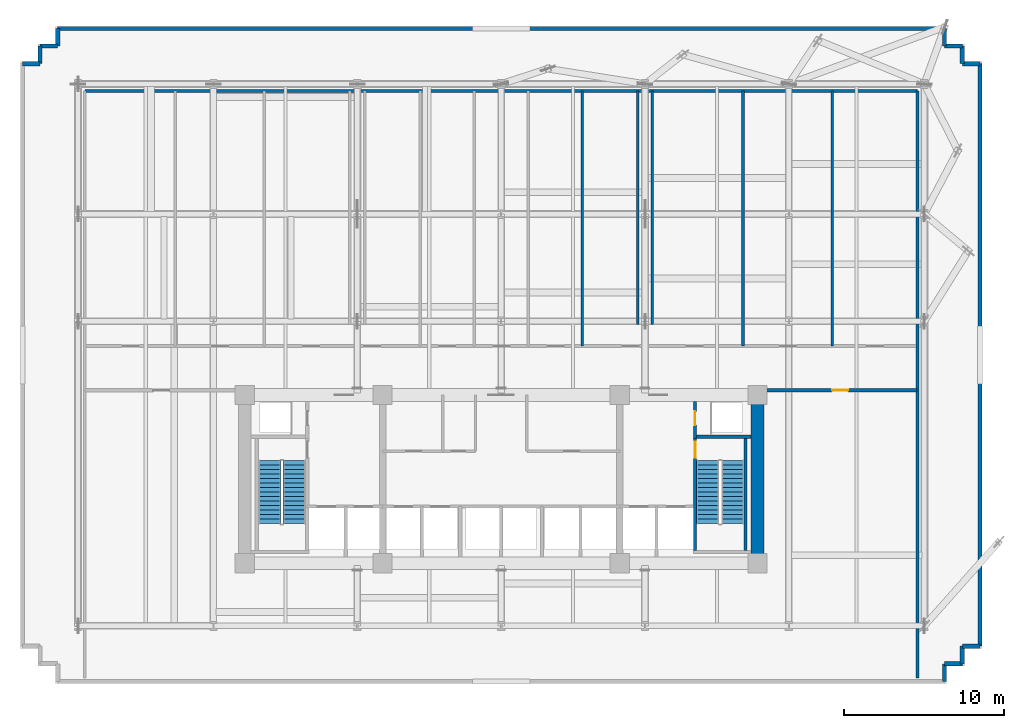
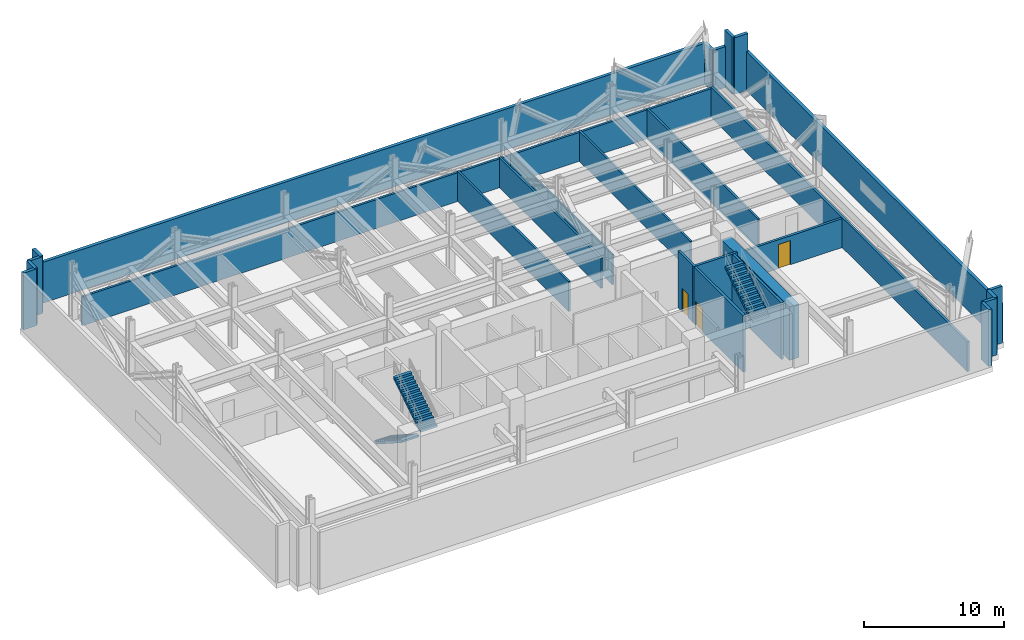
# One storey, part 7 of 9: 27 walls, 4 stair flights, 3 doors, 3 openings, 2 elements without a shape of their own.
"""IFC4 building model written with IfcOpenShell, lengths in metres."""

from ifc_helpers import new_model, si_unit, direction, frame, frame_2d, origin, place, context, subcontext, project, spatial, polyline, rectangle, outline, extrude, material, layer, layer_set, type_object, element, fill, aggregate, save


model = new_model("IFC4")

# Units and contexts
model_context = context("Model", 3, precision=1e-05, world=origin(), true_north=direction((0.0, 1.0)))
body_context = subcontext(model_context, "Body", "Model", "MODEL_VIEW")
ifc_project = project(units=[si_unit("LENGTHUNIT", "METRE"), si_unit("AREAUNIT", "SQUARE_METRE"), si_unit("VOLUMEUNIT", "CUBIC_METRE"), si_unit("PLANEANGLEUNIT", "RADIAN"), si_unit("MASSUNIT", "GRAM", prefix="KILO")], contexts=[model_context])

# Site, building, storey
site_placement = place(None, origin())
site = spatial("IfcSite", under=ifc_project, at=site_placement, CompositionType="ELEMENT")
building_placement = place(site_placement, origin())
building = spatial("IfcBuilding", under=site, at=building_placement, Name="Solmavex Isthmus Hotel", CompositionType="ELEMENT")
storey_placement = place(building_placement, frame((0.0, 0.0, 74.699951171875)))
storey = spatial("IfcBuildingStorey", under=building, at=storey_placement, Name="L20", CompositionType="ELEMENT", Elevation=74.699951171875)

# Walls
ifc_material_1 = material(Name="Precast Concrete C40/50", Category="concrete")
ifc_layer_1 = layer(ifc_material_1, 0.260009765625)
ifc_layer_set_1 = layer_set([ifc_layer_1], Name="Precast Concrete C40/50")
wall_type_1 = type_object("IfcWallType", Name="EW-CRN-260", PredefinedType="STANDARD", material=ifc_layer_set_1)
for number, where, z_axis, x_axis, name in (
    (1, (-29.8701171875, 18.169921875, 0.0), (0.0, 0.0, 1.0), (1.0, 0.0, 0.0), "Plant Acoustic Louvre Enclosure Wall L20-07"),
    (2, (-28.77001953125, 18.169921875, 0.0), (0.0, 0.0, 1.0), (0.0, 1.0, 0.0), "Plant Acoustic Louvre Enclosure Wall L20-08"),
    (3, (-28.77001953125, 19.27001953125, 0.0), (0.0, 0.0, 1.0), (1.0, 0.0, 0.0), "Plant Acoustic Louvre Enclosure Wall L20-09"),
    (4, (-27.669921875, 19.27001953125, 0.0), (0.0, 0.0, 1.0), (0.0, 1.0, 0.0), "Plant Acoustic Louvre Enclosure Wall L20-10"),
):
    element("IfcWall", number, at=place(storey_placement, frame(where, z_axis=z_axis, x_axis=x_axis)), inside=storey, type_object=wall_type_1, Name=name, PredefinedType="STANDARD", context=body_context, shape_type="SweptSolid", body=[
        extrude(rectangle(XDim=1.10009765625, YDim=0.260009765625, at=frame_2d((0.550048828125, 0.0))), origin(), (0.0, 0.0, 1.0), 4.949951171875),
    ])
wall_1_placement = place(storey_placement, frame((-27.669921875, 20.3701171875, 0.0), z_axis=(0.0, 0.0, 1.0), x_axis=(1.0, 0.0, 0.0)))
element("IfcWall", 5, at=wall_1_placement, inside=storey, type_object=wall_type_1, Name="Plant Acoustic Louvre Enclosure Wall L20-11", PredefinedType="STANDARD", context=body_context, shape_type="SweptSolid", body=[
    extrude(rectangle(XDim=55.33984375, YDim=0.260009765625, at=frame_2d((27.669921875, 0.0))), origin(), (0.0, 0.0, 1.0), 3.554931640625),
])
for number, where, z_axis, x_axis, name in (
    (6, (27.669921875, 20.3701171875, 0.0), (0.0, 0.0, 1.0), (0.0, -1.0, 0.0), "Plant Acoustic Louvre Enclosure Wall L20-12"),
    (7, (27.669921875, 19.27001953125, 0.0), (0.0, 0.0, 1.0), (1.0, 0.0, 0.0), "Plant Acoustic Louvre Enclosure Wall L20-13"),
):
    element("IfcWall", number, at=place(storey_placement, frame(where, z_axis=z_axis, x_axis=x_axis)), inside=storey, type_object=wall_type_1, Name=name, PredefinedType="STANDARD", context=body_context, shape_type="SweptSolid", body=[
        extrude(rectangle(XDim=1.10009765625, YDim=0.260009765625, at=frame_2d((0.550048828125, 0.0))), origin(), (0.0, 0.0, 1.0), 3.554931640625),
    ])
for number, where, z_axis, x_axis, name in (
    (8, (28.77001953125, 19.27001953125, 0.0), (0.0, 0.0, 1.0), (0.0, -1.0, 0.0), "Plant Acoustic Louvre Enclosure Wall L20-14"),
    (9, (28.77001953125, 18.169921875, 0.0), (0.0, 0.0, 1.0), (1.0, 0.0, 0.0), "Plant Acoustic Louvre Enclosure Wall L20-15"),
):
    element("IfcWall", number, at=place(storey_placement, frame(where, z_axis=z_axis, x_axis=x_axis)), inside=storey, type_object=wall_type_1, Name=name, PredefinedType="STANDARD", context=body_context, shape_type="SweptSolid", body=[
        extrude(rectangle(XDim=1.10009765625, YDim=0.260009765625, at=frame_2d((0.550048828125, 0.0))), origin(), (0.0, 0.0, 1.0), 4.949951171875),
    ])
wall_2_placement = place(storey_placement, frame((29.8701171875, 18.169921875, 0.0), z_axis=(0.0, 0.0, 1.0), x_axis=(0.0, -1.0, 0.0)))
element("IfcWall", 10, at=wall_2_placement, inside=storey, type_object=wall_type_1, Name="Plant Acoustic Louvre Enclosure Wall L20-16", PredefinedType="STANDARD", context=body_context, shape_type="SweptSolid", body=[
    extrude(rectangle(XDim=36.33984375, YDim=0.260009765625, at=frame_2d((18.169921875, 0.0))), origin(), (0.0, 0.0, 1.0), 3.385009765625),
])
for number, where, z_axis, x_axis, name in (
    (11, (29.8701171875, -18.169921875, 0.0), (0.0, 0.0, 1.0), (-1.0, 0.0, 0.0), "Plant Acoustic Louvre Enclosure Wall L20-17"),
    (12, (28.77001953125, -18.169921875, 0.0), (0.0, 0.0, 1.0), (0.0, -1.0, 0.0), "Plant Acoustic Louvre Enclosure Wall L20-18"),
    (13, (28.77001953125, -19.27001953125, 0.0), (0.0, 0.0, 1.0), (-1.0, 0.0, 0.0), "Plant Acoustic Louvre Enclosure Wall L20-19"),
    (14, (27.669921875, -19.27001953125, 0.0), (0.0, 0.0, 1.0), (0.0, -1.0, 0.0), "Plant Acoustic Louvre Enclosure Wall L20-20"),
):
    element("IfcWall", number, at=place(storey_placement, frame(where, z_axis=z_axis, x_axis=x_axis)), inside=storey, type_object=wall_type_1, Name=name, PredefinedType="STANDARD", context=body_context, shape_type="SweptSolid", body=[
        extrude(rectangle(XDim=1.10009765625, YDim=0.260009765625, at=frame_2d((0.550048828125, 0.0))), origin(), (0.0, 0.0, 1.0), 4.949951171875),
    ])
ifc_material_2 = material(Name="Gypsum plasterboard lining", Category="gypsum")
ifc_layer_2 = layer(ifc_material_2, 0.159912109375)
ifc_layer_set_2 = layer_set([ifc_layer_2], Name="Gypsum plasterboard lining")
wall_type_2 = type_object("IfcWallType", Name="IW-COMP-160", PredefinedType="PARTITIONING", material=ifc_layer_set_2)
for number, where, z_axis, x_axis, name in (
    (15, (8.51611328125, 1.89990234375, 0.0), (0.0, 0.0, 1.0), (0.0, 1.0, 0.0), "Interior Partition Wall W-L20-OTEL"),
    (16, (9.43603515625, 1.89990234375, 0.0), (0.0, 0.0, 1.0), (0.0, 1.0, 0.0), "Interior Partition Wall W-L20-OTER"),
):
    element("IfcWall", number, at=place(storey_placement, frame(where, z_axis=z_axis, x_axis=x_axis)), inside=storey, type_object=wall_type_2, Name=name, PredefinedType="PARTITIONING", context=body_context, shape_type="SweptSolid", body=[
        extrude(rectangle(XDim=14.580078125, YDim=0.159912109375, at=frame_2d((7.2900390625, 0.0))), origin(), (0.0, 0.0, 1.0), 2.615966796875),
    ])
for number, where, z_axis, x_axis, name in (
    (17, (5.06005859375, 0.550048828125, 0.0), (0.0, 0.0, 1.0), (0.0, 1.0, 0.0), "Interior Partition Wall W-L20-PX7"),
    (18, (15.090087890625, 0.550048828125, 0.0), (0.0, 0.0, 1.0), (0.0, 1.0, 0.0), "Interior Partition Wall W-L20-PX9"),
    (19, (20.659912109375, 0.550048828125, 0.0), (0.0, 0.0, 1.0), (0.0, 1.0, 0.0), "Interior Partition Wall W-L20-PX10"),
):
    element("IfcWall", number, at=place(storey_placement, frame(where, z_axis=z_axis, x_axis=x_axis)), inside=storey, type_object=wall_type_2, Name=name, PredefinedType="PARTITIONING", context=body_context, shape_type="SweptSolid", body=[
        extrude(rectangle(XDim=15.909912109375, YDim=0.159912109375, at=frame_2d((7.955078125, 0.0))), origin(), (0.0, 0.0, 1.0), 2.615966796875),
    ])
ifc_material_3 = material(Name="Concrete C40/50", Category="concrete")
ifc_layer_3 = layer(ifc_material_3, 0.179931640625)
ifc_layer_set_3 = layer_set([ifc_layer_3], Name="Concrete C40/50")
wall_type_3 = type_object("IfcWallType", Name="IW-SHAFT-180", PredefinedType="PARTITIONING", material=ifc_layer_set_3)
wall_3_placement = place(storey_placement, frame((-25.97998046875, 16.47998046875, 0.0), z_axis=(0.0, 0.0, 1.0), x_axis=(1.0, 0.0, 0.0)))
element("IfcWall", 20, at=wall_3_placement, inside=storey, type_object=wall_type_3, Name="Interior Partition Wall W-L20-BTN", PredefinedType="PARTITIONING", context=body_context, shape_type="SweptSolid", body=[
    extrude(rectangle(XDim=51.9599609375, YDim=0.179931640625, at=frame_2d((25.97998046875, 0.0))), origin(), (0.0, 0.0, 1.0), 2.518798828125),
])
wall_4_placement = place(storey_placement, frame((25.97998046875, -20.14990234375, 0.0), z_axis=(0.0, 0.0, 1.0), x_axis=(0.0, 1.0, 0.0)))
element("IfcWall", 21, at=wall_4_placement, inside=storey, type_object=wall_type_3, Name="Interior Partition Wall W-L20-BTE", PredefinedType="PARTITIONING", context=body_context, shape_type="SweptSolid", body=[
    extrude(rectangle(XDim=36.6298828125, YDim=0.179931640625, at=frame_2d((18.31494140625, 0.0))), origin(), (0.0, 0.0, 1.0), 2.615966796875),
])

# Wall, opening, door
ifc_layer_4 = layer(ifc_material_3, 0.199951171875)
ifc_layer_set_4 = layer_set([ifc_layer_4], Name="Concrete C40/50")
wall_type_4 = type_object("IfcWallType", Name="IW-SHAFT-200", PredefinedType="PARTITIONING", material=ifc_layer_set_4)
wall_5_placement = place(storey_placement, frame((12.10009765625, -5.199951171875, 0.0), z_axis=(0.0, 0.0, 1.0), x_axis=(0.0, 1.0, 0.0)))
wall_5 = element("IfcWall", 22, at=wall_5_placement, inside=storey, type_object=wall_type_4, Name="Interior Partition Wall W-L20-RSE-W", PredefinedType="PARTITIONING", context=body_context, shape_type="SweptSolid", body=[
    extrude(rectangle(XDim=2.300048828125, YDim=0.199951171875, at=frame_2d((1.14990234375, 0.0))), origin(), (0.0, 0.0, 1.0), 4.949951171875),
])
opening_1_placement = place(wall_5_placement, frame((0.824951171875, 0.0, 0.0)))
opening_1 = element("IfcOpeningElement", 23, at=opening_1_placement, cuts=wall_5, Name="Opening ID-R085", PredefinedType="OPENING", context=body_context, shape_type="SweptSolid", body=[
    extrude(rectangle(XDim=0.85009765625, YDim=2.050048828125, at=frame_2d((0.425048828125, 1.02490234375))), frame((0.0, 0.10986328125, 0.0), z_axis=(0.0, -1.0, 0.0), x_axis=(1.0, 0.0, 0.0)), (0.0, 0.0, 1.0), 0.219970703125),
])
ifc_material_4 = material(Name="Steel ASTM A500 Grade C", Category="steel")
door_type_1 = type_object("IfcDoorType", Name="IDR-FD60-0850", OperationType="NOTDEFINED", PredefinedType="DOOR", material=ifc_material_4)
door_1_placement = place(opening_1_placement, frame((0.85009765625, 0.0, 0.0), z_axis=(0.0, 0.0, 1.0), x_axis=(-1.0, 0.0, 0.0)))
door_1 = element("IfcDoor", 24, at=door_1_placement, inside=storey, type_object=door_type_1, Name="Mechanical Riser Door L20", OperationType="SINGLE_SWING_LEFT", OverallHeight=2.050048828125, OverallWidth=0.85009765625, PredefinedType="DOOR", context=body_context, shape_type="SweptSolid", body=[
    extrude(rectangle(XDim=0.85009765625, YDim=2.050048828125, at=frame_2d((0.425048828125, 1.02490234375))), frame((0.0, 0.02490234375, 0.0), z_axis=(0.0, -1.0, 0.0), x_axis=(1.0, 0.0, 0.0)), (0.0, 0.0, 1.0), 0.050048828125),
])
fill(opening_1, door_1)

wall_6_placement = place(storey_placement, frame((16.39990234375, -2.199951171875, 0.0), z_axis=(0.0, 0.0, 1.0), x_axis=(1.0, 0.0, 0.0)))
wall_6 = element("IfcWall", 25, at=wall_6_placement, inside=storey, type_object=wall_type_4, Name="Interior Partition Wall W-L20-PSE", PredefinedType="PARTITIONING", context=body_context, shape_type="SweptSolid", body=[
    extrude(rectangle(XDim=9.56005859375, YDim=0.199951171875, at=frame_2d((4.780029296875, 0.0))), origin(), (0.0, 0.0, 1.0), 2.518798828125),
])
opening_2_placement = place(wall_6_placement, frame((4.2451171875, 0.0, 0.0)))
opening_2 = element("IfcOpeningElement", 26, at=opening_2_placement, cuts=wall_6, Name="Opening ID-F100", PredefinedType="OPENING", context=body_context, shape_type="SweptSolid", body=[
    extrude(rectangle(XDim=1.0, YDim=2.10009765625, at=frame_2d((0.5, 1.050048828125))), frame((0.0, 0.10986328125, 0.0), z_axis=(0.0, -1.0, 0.0), x_axis=(1.0, 0.0, 0.0)), (0.0, 0.0, 1.0), 0.219970703125),
])
door_type_2 = type_object("IfcDoorType", Name="IDR-FD90-1000", OperationType="NOTDEFINED", PredefinedType="DOOR", material=ifc_material_4)
door_2_placement = place(opening_2_placement, frame((1.0, 0.0, 0.0), z_axis=(0.0, 0.0, 1.0), x_axis=(-1.0, 0.0, 0.0)))
door_2 = element("IfcDoor", 27, at=door_2_placement, inside=storey, type_object=door_type_2, Name="Emergency Telecom and BMS Plant Room Door L20", OperationType="SINGLE_SWING_RIGHT", OverallHeight=2.10009765625, OverallWidth=1.0, PredefinedType="DOOR", context=body_context, shape_type="SweptSolid", body=[
    extrude(rectangle(XDim=1.0, YDim=2.10009765625, at=frame_2d((0.5, 1.050048828125))), frame((0.0, 0.02490234375, 0.0), z_axis=(0.0, -1.0, 0.0), x_axis=(1.0, 0.0, 0.0)), (0.0, 0.0, 1.0), 0.050048828125),
])
fill(opening_2, door_2)

# Walls
ifc_material_5 = material(Name="Concrete C70/85", Category="concrete")
ifc_layer_5 = layer(ifc_material_5, 0.800048828125)
ifc_layer_set_5 = layer_set([ifc_layer_5], Name="Concrete C70/85")
wall_type_5 = type_object("IfcWallType", Name="WALL-CW-800", PredefinedType="SHEAR", material=ifc_layer_set_5)
wall_7_placement = place(storey_placement, frame((16.0, -12.60009765625, 0.0), z_axis=(0.0, 0.0, 1.0), x_axis=(0.0, 1.0, 0.0)))
element("IfcWall", 28, at=wall_7_placement, inside=storey, type_object=wall_type_5, Name="Core Shear Wall East L20", PredefinedType="SHEAR", context=body_context, shape_type="SweptSolid", body=[
    extrude(rectangle(XDim=9.7001953125, YDim=0.800048828125, at=frame_2d((4.85009765625, 0.0))), origin(), (0.0, 0.0, 1.0), 4.670166015625),
])
ifc_layer_6 = layer(ifc_material_3, 0.199951171875)
ifc_layer_set_6 = layer_set([ifc_layer_6], Name="Concrete C40/50")
wall_type_6 = type_object("IfcWallType", Name="WALL-SW-200", PredefinedType="SOLIDWALL", material=ifc_layer_set_6)
wall_8_placement = place(storey_placement, frame((12.0, -5.10009765625, 0.0), z_axis=(0.0, 0.0, 1.0), x_axis=(1.0, 0.0, 0.0)))
element("IfcWall", 29, at=wall_8_placement, inside=storey, type_object=wall_type_6, Name="Stairwell Structural Wall SW-L20-ST2-N", PredefinedType="SOLIDWALL", context=body_context, shape_type="SweptSolid", body=[
    extrude(rectangle(XDim=3.60009765625, YDim=0.199951171875, at=frame_2d((1.800048828125, 0.0))), origin(), (0.0, 0.0, 1.0), 4.949951171875),
])

# Wall, opening, door
wall_9_placement = place(storey_placement, frame((12.10009765625, -12.199951171875, 0.0), z_axis=(0.0, 0.0, 1.0), x_axis=(0.0, 1.0, 0.0)))
wall_9 = element("IfcWall", 30, at=wall_9_placement, inside=storey, type_object=wall_type_6, Name="Stairwell Structural Wall SW-L20-ST2-W", PredefinedType="SOLIDWALL", context=body_context, shape_type="SweptSolid", body=[
    extrude(rectangle(XDim=7.0, YDim=0.199951171875, at=frame_2d((3.5, 0.0))), origin(), (0.0, 0.0, 1.0), 4.949951171875),
])
opening_3_placement = place(wall_9_placement, frame((5.800048828125, 0.0, 0.0)))
opening_3 = element("IfcOpeningElement", 31, at=opening_3_placement, cuts=wall_9, Name="Opening ID-F100", PredefinedType="OPENING", context=body_context, shape_type="SweptSolid", body=[
    extrude(rectangle(XDim=1.0, YDim=2.10009765625, at=frame_2d((0.5, 1.050048828125))), frame((0.0, 0.10986328125, 0.0), z_axis=(0.0, -1.0, 0.0), x_axis=(1.0, 0.0, 0.0)), (0.0, 0.0, 1.0), 0.219970703125),
])
door_3_placement = place(opening_3_placement, origin())
door_3 = element("IfcDoor", 32, at=door_3_placement, inside=storey, type_object=door_type_2, Name="Stair ST-2 Fire Door L20", OperationType="SINGLE_SWING_RIGHT", OverallHeight=2.10009765625, OverallWidth=1.0, PredefinedType="DOOR", context=body_context, shape_type="SweptSolid", body=[
    extrude(rectangle(XDim=1.0, YDim=2.10009765625, at=frame_2d((0.5, 1.050048828125))), frame((0.0, 0.02490234375, 0.0), z_axis=(0.0, -1.0, 0.0), x_axis=(1.0, 0.0, 0.0)), (0.0, 0.0, 1.0), 0.050048828125),
])
fill(opening_3, door_3)

# Wall
wall_10_placement = place(storey_placement, frame((15.25, -12.199951171875, 0.0), z_axis=(0.0, 0.0, 1.0), x_axis=(0.0, 1.0, 0.0)))
element("IfcWall", 33, at=wall_10_placement, inside=storey, type_object=wall_type_6, Name="Stairwell Structural Wall SW-L20-ST2-E", PredefinedType="SOLIDWALL", context=body_context, shape_type="SweptSolid", body=[
    extrude(rectangle(XDim=7.0, YDim=0.199951171875, at=frame_2d((3.5, 0.0))), origin(), (0.0, 0.0, 1.0), 4.949951171875),
])

# Stair, stair flights
stair_type_1 = type_object("IfcStairType", Name="STR-ST-1", PredefinedType="HALF_TURN_STAIR", material=ifc_material_3)
stair_1_placement = place(storey_placement, origin())
stair_1 = element("IfcStair", 34, at=stair_1_placement, inside=storey, type_object=stair_type_1, Name="L20 Protected Exit Stair ST-1", PredefinedType="HALF_TURN_STAIR")
stair_flight_type_1 = type_object("IfcStairFlightType", Name="SFL-ST-1", PredefinedType="STRAIGHT", material=ifc_material_3)
stair_flight_1_placement = place(storey_placement, frame((-14.449951171875, -6.60009765625, 0.0), z_axis=(0.0, 0.0, 1.0), x_axis=(0.0, -1.0, 0.0)))
stair_flight_1 = element("IfcStairFlight", 35, at=stair_flight_1_placement, type_object=stair_flight_type_1, Name="ST-1 flight 1", NumberOfRisers=15, NumberOfTreads=14, PredefinedType="STRAIGHT", RiserHeight=0.18, TreadLength=0.28, context=body_context, shape_type="SweptSolid", body=[
    extrude(outline(polyline([(0.0, 0.0), (0.0, 0.179931640625), (0.280029296875, 0.179931640625), (0.280029296875, 0.360107421875), (0.56005859375, 0.360107421875), (0.56005859375, 0.5400390625), (0.840087890625, 0.5400390625), (0.840087890625, 0.719970703125), (1.1201171875, 0.719970703125), (1.1201171875, 0.89990234375), (1.39990234375, 0.89990234375), (1.39990234375, 1.080078125), (1.679931640625, 1.080078125), (1.679931640625, 1.260009765625), (1.9599609375, 1.260009765625), (1.9599609375, 1.43994140625), (2.239990234375, 1.43994140625), (2.239990234375, 1.6201171875), (2.52001953125, 1.6201171875), (2.52001953125, 1.800048828125), (2.800048828125, 1.800048828125), (2.800048828125, 1.97998046875), (3.080078125, 1.97998046875), (3.080078125, 2.159912109375), (3.360107421875, 2.159912109375), (3.360107421875, 2.340087890625), (3.639892578125, 2.340087890625), (3.639892578125, 2.52001953125), (3.919921875, 2.52001953125), (3.919921875, 2.699951171875), (3.919921875, 2.341796875), (0.277099609375, 0.0), (0.0, 0.0)])), frame((0.0, 0.699951171875, 0.0), z_axis=(0.0, -1.0, 0.0), x_axis=(1.0, 0.0, 0.0)), (0.0, 0.0, 1.0), 1.39990234375),
])
stair_flight_2_placement = place(storey_placement, frame((-12.89990234375, -10.52001953125, 2.699951171875), z_axis=(0.0, 0.0, 1.0), x_axis=(0.0, 1.0, 0.0)))
stair_flight_2 = element("IfcStairFlight", 36, at=stair_flight_2_placement, type_object=stair_flight_type_1, Name="ST-1 flight 2", NumberOfRisers=15, NumberOfTreads=14, PredefinedType="STRAIGHT", RiserHeight=0.18, TreadLength=0.28, context=body_context, shape_type="SweptSolid", body=[
    extrude(outline(polyline([(0.0, 0.0), (0.0, 0.179931640625), (0.280029296875, 0.179931640625), (0.280029296875, 0.360107421875), (0.56005859375, 0.360107421875), (0.56005859375, 0.5400390625), (0.840087890625, 0.5400390625), (0.840087890625, 0.719970703125), (1.1201171875, 0.719970703125), (1.1201171875, 0.89990234375), (1.39990234375, 0.89990234375), (1.39990234375, 1.080078125), (1.679931640625, 1.080078125), (1.679931640625, 1.260009765625), (1.9599609375, 1.260009765625), (1.9599609375, 1.43994140625), (2.239990234375, 1.43994140625), (2.239990234375, 1.6201171875), (2.52001953125, 1.6201171875), (2.52001953125, 1.800048828125), (2.800048828125, 1.800048828125), (2.800048828125, 1.97998046875), (3.080078125, 1.97998046875), (3.080078125, 2.159912109375), (3.360107421875, 2.159912109375), (3.360107421875, 2.340087890625), (3.639892578125, 2.340087890625), (3.639892578125, 2.52001953125), (3.919921875, 2.52001953125), (3.919921875, 2.699951171875), (3.919921875, 2.341796875), (0.277099609375, 0.0), (0.0, 0.0)])), frame((0.0, 0.699951171875, 0.0), z_axis=(0.0, -1.0, 0.0), x_axis=(1.0, 0.0, 0.0)), (0.0, 0.0, 1.0), 1.39990234375),
])
aggregate(stair_1, [stair_flight_1, stair_flight_2])

stair_type_2 = type_object("IfcStairType", Name="STR-ST-2", PredefinedType="HALF_TURN_STAIR", material=ifc_material_3)
stair_2_placement = place(storey_placement, origin())
stair_2 = element("IfcStair", 37, at=stair_2_placement, inside=storey, type_object=stair_type_2, Name="L20 Protected Exit Stair ST-2", PredefinedType="HALF_TURN_STAIR")
stair_flight_type_2 = type_object("IfcStairFlightType", Name="SFL-ST-2", PredefinedType="STRAIGHT", material=ifc_material_3)
stair_flight_3_placement = place(storey_placement, frame((12.89990234375, -6.60009765625, 0.0), z_axis=(0.0, 0.0, 1.0), x_axis=(0.0, -1.0, 0.0)))
stair_flight_3 = element("IfcStairFlight", 38, at=stair_flight_3_placement, type_object=stair_flight_type_2, Name="ST-2 flight 1", NumberOfRisers=15, NumberOfTreads=14, PredefinedType="STRAIGHT", RiserHeight=0.18, TreadLength=0.28, context=body_context, shape_type="SweptSolid", body=[
    extrude(outline(polyline([(0.0, 0.0), (0.0, 0.179931640625), (0.280029296875, 0.179931640625), (0.280029296875, 0.360107421875), (0.56005859375, 0.360107421875), (0.56005859375, 0.5400390625), (0.840087890625, 0.5400390625), (0.840087890625, 0.719970703125), (1.1201171875, 0.719970703125), (1.1201171875, 0.89990234375), (1.39990234375, 0.89990234375), (1.39990234375, 1.080078125), (1.679931640625, 1.080078125), (1.679931640625, 1.260009765625), (1.9599609375, 1.260009765625), (1.9599609375, 1.43994140625), (2.239990234375, 1.43994140625), (2.239990234375, 1.6201171875), (2.52001953125, 1.6201171875), (2.52001953125, 1.800048828125), (2.800048828125, 1.800048828125), (2.800048828125, 1.97998046875), (3.080078125, 1.97998046875), (3.080078125, 2.159912109375), (3.360107421875, 2.159912109375), (3.360107421875, 2.340087890625), (3.639892578125, 2.340087890625), (3.639892578125, 2.52001953125), (3.919921875, 2.52001953125), (3.919921875, 2.699951171875), (3.919921875, 2.341796875), (0.277099609375, 0.0), (0.0, 0.0)])), frame((0.0, 0.699951171875, 0.0), z_axis=(0.0, -1.0, 0.0), x_axis=(1.0, 0.0, 0.0)), (0.0, 0.0, 1.0), 1.39990234375),
])
stair_flight_4_placement = place(storey_placement, frame((14.449951171875, -10.52001953125, 2.699951171875), z_axis=(0.0, 0.0, 1.0), x_axis=(0.0, 1.0, 0.0)))
stair_flight_4 = element("IfcStairFlight", 39, at=stair_flight_4_placement, type_object=stair_flight_type_2, Name="ST-2 flight 2", NumberOfRisers=15, NumberOfTreads=14, PredefinedType="STRAIGHT", RiserHeight=0.18, TreadLength=0.28, context=body_context, shape_type="SweptSolid", body=[
    extrude(outline(polyline([(0.0, 0.0), (0.0, 0.179931640625), (0.280029296875, 0.179931640625), (0.280029296875, 0.360107421875), (0.56005859375, 0.360107421875), (0.56005859375, 0.5400390625), (0.840087890625, 0.5400390625), (0.840087890625, 0.719970703125), (1.1201171875, 0.719970703125), (1.1201171875, 0.89990234375), (1.39990234375, 0.89990234375), (1.39990234375, 1.080078125), (1.679931640625, 1.080078125), (1.679931640625, 1.260009765625), (1.9599609375, 1.260009765625), (1.9599609375, 1.43994140625), (2.239990234375, 1.43994140625), (2.239990234375, 1.6201171875), (2.52001953125, 1.6201171875), (2.52001953125, 1.800048828125), (2.800048828125, 1.800048828125), (2.800048828125, 1.97998046875), (3.080078125, 1.97998046875), (3.080078125, 2.159912109375), (3.360107421875, 2.159912109375), (3.360107421875, 2.340087890625), (3.639892578125, 2.340087890625), (3.639892578125, 2.52001953125), (3.919921875, 2.52001953125), (3.919921875, 2.699951171875), (3.919921875, 2.341796875), (0.277099609375, 0.0), (0.0, 0.0)])), frame((0.0, 0.699951171875, 0.0), z_axis=(0.0, -1.0, 0.0), x_axis=(1.0, 0.0, 0.0)), (0.0, 0.0, 1.0), 1.39990234375),
])
aggregate(stair_2, [stair_flight_3, stair_flight_4])

save(model, "model.ifc")
